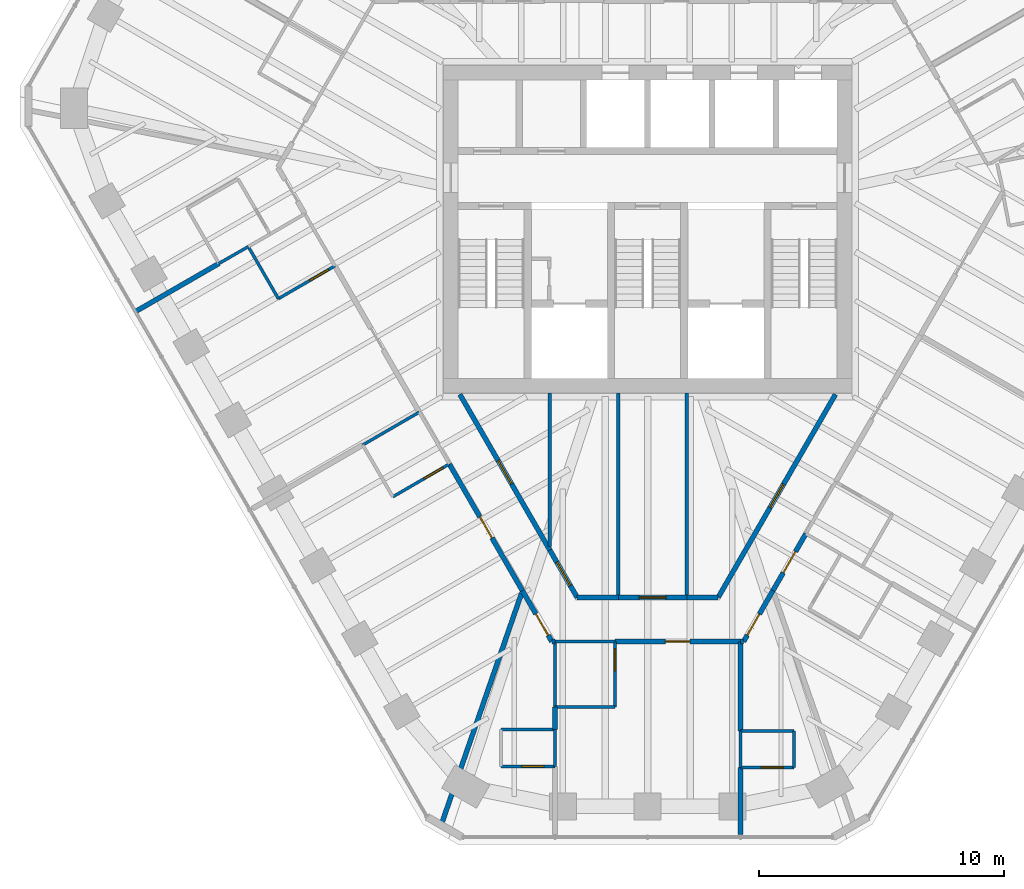
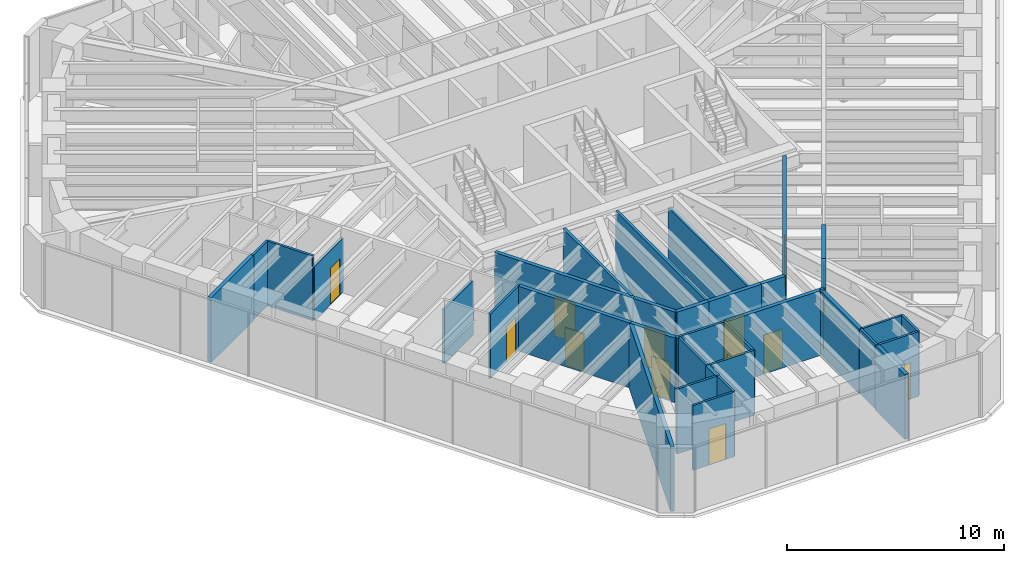
# One storey, part 9 of 14: 37 walls, 14 doors, 14 openings.
"""IFC4 building model written with IfcOpenShell, lengths in metres."""

from ifc_helpers import new_model, si_unit, direction, frame, frame_2d, origin, place, context, subcontext, project, spatial, rectangle, extrude, material, layer, layer_set, type_object, element, fill, save


model = new_model("IFC4")

# Units and contexts
model_context = context("Model", 3, precision=1e-05, world=origin(), true_north=direction((0.0, 1.0)))
body_context = subcontext(model_context, "Body", "Model", "MODEL_VIEW")
ifc_project = project(units=[si_unit("LENGTHUNIT", "METRE"), si_unit("AREAUNIT", "SQUARE_METRE"), si_unit("VOLUMEUNIT", "CUBIC_METRE"), si_unit("PLANEANGLEUNIT", "RADIAN"), si_unit("MASSUNIT", "GRAM", prefix="KILO")], contexts=[model_context])

# Site, building, storey
site_placement = place(None, origin())
site = spatial("IfcSite", under=ifc_project, at=site_placement, CompositionType="ELEMENT")
building_placement = place(site_placement, origin())
building = spatial("IfcBuilding", under=site, at=building_placement, Name="Sandreach Pilgrim Tower", CompositionType="ELEMENT")
storey_placement = place(building_placement, frame((0.0, 0.0, 260.800048828125)))
storey = spatial("IfcBuildingStorey", under=building, at=storey_placement, Name="L65", CompositionType="ELEMENT", Elevation=260.800048828125)

# Walls
ifc_material_1 = material(Name="Gypsum board on steel studs", Category="steel")
ifc_layer_1 = layer(ifc_material_1, 0.14990234375)
ifc_layer_set_1 = layer_set([ifc_layer_1], Name="Back of house wall 150")
wall_type_1 = type_object("IfcWallType", Name="Back of house wall 150", PredefinedType="PARTITIONING", material=ifc_layer_set_1)
wall_1_placement = place(storey_placement, frame((-4.0, -6.699951171875, 0.0), z_axis=(0.0, 0.0, 1.0), x_axis=(0.0, -1.0, 0.0)))
element("IfcWall", 1, at=wall_1_placement, inside=storey, type_object=wall_type_1, Name="Back of house wall L65-049", PredefinedType="PARTITIONING", context=body_context, shape_type="SweptSolid", body=[
    extrude(rectangle(XDim=6.26513671875, YDim=0.14990234375, at=frame_2d((3.132568359375, 0.0))), origin(), (0.0, 0.0, 1.0), 3.639892578125),
])
wall_2_placement = place(storey_placement, frame((-1.199951171875, -6.699951171875, 0.0), z_axis=(0.0, 0.0, 1.0), x_axis=(0.0, -1.0, 0.0)))
element("IfcWall", 2, at=wall_2_placement, inside=storey, type_object=wall_type_1, Name="Back of house wall L65-065", PredefinedType="PARTITIONING", context=body_context, shape_type="SweptSolid", body=[
    extrude(rectangle(XDim=8.360107421875, YDim=0.14990234375, at=frame_2d((4.18017578125, 0.0))), origin(), (0.0, 0.0, 1.0), 3.639892578125),
])
wall_3_placement = place(storey_placement, frame((1.60009765625, -6.699951171875, 0.0), z_axis=(0.0, 0.0, 1.0), x_axis=(0.0, -1.0, 0.0)))
element("IfcWall", 3, at=wall_3_placement, inside=storey, type_object=wall_type_1, Name="Back of house wall L65-067", PredefinedType="PARTITIONING", context=body_context, shape_type="SweptSolid", body=[
    extrude(rectangle(XDim=8.360107421875, YDim=0.14990234375, at=frame_2d((4.18017578125, 0.0))), origin(), (0.0, 0.0, 1.0), 2.860107421875),
])
ifc_material_2 = material(Name="Moisture-resistant gypsum board on steel studs", Category="steel")
ifc_layer_2 = layer(ifc_material_2, 0.1201171875)
ifc_layer_set_2 = layer_set([ifc_layer_2], Name="Bathroom partition 120")
wall_type_2 = type_object("IfcWallType", Name="Bathroom partition 120", PredefinedType="PARTITIONING", material=ifc_layer_set_2)
wall_4_placement = place(storey_placement, frame((-17.530517578125, -1.39892578125, 0.0), z_axis=(0.0, 0.0, 1.0), x_axis=(0.867308096735, 0.497771700017, 0.0)))
element("IfcWall", 4, at=wall_4_placement, inside=storey, type_object=wall_type_2, Name="Bathroom partition L65-005", PredefinedType="PARTITIONING", context=body_context, shape_type="SweptSolid", body=[
    extrude(rectangle(XDim=1.384033203125, YDim=0.1201171875, at=frame_2d((0.69189453125, 0.0))), origin(), (0.0, 0.0, 1.0), 3.639892578125),
])
wall_5_placement = place(storey_placement, frame((-16.330078125, -0.7099609375, 0.0), z_axis=(0.0, 0.0, 1.0), x_axis=(0.500046071023, -0.865998803033, 0.0)))
element("IfcWall", 5, at=wall_5_placement, inside=storey, type_object=wall_type_2, Name="Bathroom partition L65-009", PredefinedType="PARTITIONING", context=body_context, shape_type="SweptSolid", body=[
    extrude(rectangle(XDim=2.459716796875, YDim=0.1201171875, at=frame_2d((1.22998046875, 0.0))), origin(), (0.0, 0.0, 1.0), 3.639892578125),
])

# Wall, opening, door
wall_6_placement = place(storey_placement, frame((-15.10009765625, -2.840087890625, 0.0), z_axis=(0.0, 0.0, 1.0), x_axis=(0.86498992408, 0.501789229896, 0.0)))
wall_6 = element("IfcWall", 6, at=wall_6_placement, inside=storey, type_object=wall_type_2, Name="Bathroom partition L65-016", PredefinedType="PARTITIONING", context=body_context, shape_type="SweptSolid", body=[
    extrude(rectangle(XDim=2.670654296875, YDim=0.1201171875, at=frame_2d((1.33544921875, 0.0))), origin(), (0.0, 0.0, 1.0), 3.022705078125),
])
opening_1_placement = place(wall_6_placement, frame((1.470458984375, 0.0, 0.0)))
opening_1 = element("IfcOpeningElement", 7, at=opening_1_placement, cuts=wall_6, Name="Opening D09-14B", PredefinedType="OPENING", context=body_context, shape_type="SweptSolid", body=[
    extrude(rectangle(XDim=0.89990234375, YDim=2.030029296875, at=frame_2d((0.449951171875, 1.01513671875))), frame((0.0, 0.06005859375, 0.0), z_axis=(0.0, -1.0, 0.0), x_axis=(1.0, 0.0, 0.0)), (0.0, 0.0, 1.0), 0.1201171875),
])
ifc_material_3 = material(Name="Timber door, steel frame", Category="steel")
door_type_1 = type_object("IfcDoorType", Name="Bathroom door", OperationType="SINGLE_SWING_LEFT", PredefinedType="DOOR", material=ifc_material_3)
door_1_placement = place(opening_1_placement, origin())
door_1 = element("IfcDoor", 8, at=door_1_placement, inside=storey, type_object=door_type_1, Name="Door 6514B", OperationType="SINGLE_SWING_RIGHT", OverallHeight=2.030029296875, OverallWidth=0.89990234375, PredefinedType="DOOR", context=body_context, shape_type="SweptSolid", body=[
    extrude(rectangle(XDim=0.89990234375, YDim=2.030029296875, at=frame_2d((0.449951171875, 1.01513671875))), frame((0.0, 0.02490234375, 0.0), z_axis=(0.0, -1.0, 0.0), x_axis=(1.0, 0.0, 0.0)), (0.0, 0.0, 1.0), 0.050048828125),
])
fill(opening_1, door_1)

# Wall
wall_7_placement = place(storey_placement, frame((-11.64990234375, -8.820068359375, 0.0), z_axis=(0.0, 0.0, 1.0), x_axis=(0.864966903181, 0.501828911485, 0.0)))
element("IfcWall", 9, at=wall_7_placement, inside=storey, type_object=wall_type_2, Name="Bathroom partition L65-026", PredefinedType="PARTITIONING", context=body_context, shape_type="SweptSolid", body=[
    extrude(rectangle(XDim=2.67041015625, YDim=0.1201171875, at=frame_2d((1.335205078125, 0.0))), origin(), (0.0, 0.0, 1.0), 3.0380859375),
])

# Wall, opening, door
wall_8_placement = place(storey_placement, frame((-10.419921875, -10.93994140625, 0.0), z_axis=(0.0, 0.0, 1.0), x_axis=(0.865006586495, 0.501760505939, 0.0)))
wall_8 = element("IfcWall", 10, at=wall_8_placement, inside=storey, type_object=wall_type_2, Name="Bathroom partition L65-030", PredefinedType="PARTITIONING", context=body_context, shape_type="SweptSolid", body=[
    extrude(rectangle(XDim=2.670166015625, YDim=0.1201171875, at=frame_2d((1.3349609375, 0.0))), origin(), (0.0, 0.0, 1.0), 3.639892578125),
])
opening_2_placement = place(wall_8_placement, frame((1.470458984375, 0.0, 0.0)))
opening_2 = element("IfcOpeningElement", 11, at=opening_2_placement, cuts=wall_8, Name="Opening D09-13B", PredefinedType="OPENING", context=body_context, shape_type="SweptSolid", body=[
    extrude(rectangle(XDim=0.89990234375, YDim=2.030029296875, at=frame_2d((0.449951171875, 1.01513671875))), frame((0.0, 0.06005859375, 0.0), z_axis=(0.0, -1.0, 0.0), x_axis=(1.0, 0.0, 0.0)), (0.0, 0.0, 1.0), 0.1201171875),
])
door_2_placement = place(opening_2_placement, origin())
door_2 = element("IfcDoor", 12, at=door_2_placement, inside=storey, type_object=door_type_1, Name="Door 6513B", OperationType="SINGLE_SWING_RIGHT", OverallHeight=2.030029296875, OverallWidth=0.89990234375, PredefinedType="DOOR", context=body_context, shape_type="SweptSolid", body=[
    extrude(rectangle(XDim=0.89990234375, YDim=2.030029296875, at=frame_2d((0.449951171875, 1.01513671875))), frame((0.0, 0.02490234375, 0.0), z_axis=(0.0, -1.0, 0.0), x_axis=(1.0, 0.0, 0.0)), (0.0, 0.0, 1.0), 0.050048828125),
])
fill(opening_2, door_2)

wall_9_placement = place(storey_placement, frame((-5.989990234375, -21.9599609375, 0.0), z_axis=(0.0, 0.0, 1.0), x_axis=(1.0, 0.0, 0.0)))
wall_9 = element("IfcWall", 13, at=wall_9_placement, inside=storey, type_object=wall_type_2, Name="Bathroom partition L65-042", PredefinedType="PARTITIONING", context=body_context, shape_type="SweptSolid", body=[
    extrude(rectangle(XDim=2.199951171875, YDim=0.1201171875, at=frame_2d((1.10009765625, 0.0))), origin(), (0.0, 0.0, 1.0), 3.639892578125),
])
opening_3_placement = place(wall_9_placement, frame((0.85009765625, 0.0, 0.0)))
opening_3 = element("IfcOpeningElement", 14, at=opening_3_placement, cuts=wall_9, Name="Opening D09-12B", PredefinedType="OPENING", context=body_context, shape_type="SweptSolid", body=[
    extrude(rectangle(XDim=0.89990234375, YDim=2.030029296875, at=frame_2d((0.449951171875, 1.01513671875))), frame((0.0, 0.06005859375, 0.0), z_axis=(0.0, -1.0, 0.0), x_axis=(1.0, 0.0, 0.0)), (0.0, 0.0, 1.0), 0.1201171875),
])
door_3_placement = place(opening_3_placement, origin())
door_3 = element("IfcDoor", 15, at=door_3_placement, inside=storey, type_object=door_type_1, Name="Door 6512B", OperationType="SINGLE_SWING_RIGHT", OverallHeight=2.030029296875, OverallWidth=0.89990234375, PredefinedType="DOOR", context=body_context, shape_type="SweptSolid", body=[
    extrude(rectangle(XDim=0.89990234375, YDim=2.030029296875, at=frame_2d((0.449951171875, 1.01513671875))), frame((0.0, 0.02490234375, 0.0), z_axis=(0.0, -1.0, 0.0), x_axis=(1.0, 0.0, 0.0)), (0.0, 0.0, 1.0), 0.050048828125),
])
fill(opening_3, door_3)

# Walls
wall_10_placement = place(storey_placement, frame((-3.7900390625, -21.9599609375, 0.0), z_axis=(0.0, 0.0, 1.0), x_axis=(0.0, 1.0, 0.0)))
element("IfcWall", 16, at=wall_10_placement, inside=storey, type_object=wall_type_2, Name="Bathroom partition L65-052", PredefinedType="PARTITIONING", context=body_context, shape_type="SweptSolid", body=[
    extrude(rectangle(XDim=1.5, YDim=0.1201171875, at=frame_2d((0.75, 0.0))), origin(), (0.0, 0.0, 1.0), 3.639892578125),
])
wall_11_placement = place(storey_placement, frame((-3.7900390625, -20.4599609375, 0.0), z_axis=(0.0, 0.0, 1.0), x_axis=(-1.0, 0.0, 0.0)))
element("IfcWall", 17, at=wall_11_placement, inside=storey, type_object=wall_type_2, Name="Bathroom partition L65-053", PredefinedType="PARTITIONING", context=body_context, shape_type="SweptSolid", body=[
    extrude(rectangle(XDim=2.199951171875, YDim=0.1201171875, at=frame_2d((1.10009765625, 0.0))), origin(), (0.0, 0.0, 1.0), 3.639892578125),
])
wall_12_placement = place(storey_placement, frame((-3.7900390625, -19.530029296875, 0.0), z_axis=(0.0, 0.0, 1.0), x_axis=(0.0, 1.0, 0.0)))
element("IfcWall", 18, at=wall_12_placement, inside=storey, type_object=wall_type_2, Name="Bathroom partition L65-055", PredefinedType="PARTITIONING", context=body_context, shape_type="SweptSolid", body=[
    extrude(rectangle(XDim=2.669921875, YDim=0.1201171875, at=frame_2d((1.3349609375, 0.0))), origin(), (0.0, 0.0, 1.0), 3.639892578125),
])
for number, where, z_axis, x_axis, name in (
    (19, (-3.7900390625, -19.530029296875, 0.0), (0.0, 0.0, 1.0), (1.0, 0.0, 0.0), "Bathroom partition L65-056"),
    (20, (-3.7900390625, -16.860107421875, 0.0), (0.0, 0.0, 1.0), (1.0, 0.0, 0.0), "Bathroom partition L65-057"),
):
    element("IfcWall", number, at=place(storey_placement, frame(where, z_axis=z_axis, x_axis=x_axis)), inside=storey, type_object=wall_type_2, Name=name, PredefinedType="PARTITIONING", context=body_context, shape_type="SweptSolid", body=[
        extrude(rectangle(XDim=2.449951171875, YDim=0.1201171875, at=frame_2d((1.22509765625, 0.0))), origin(), (0.0, 0.0, 1.0), 3.639892578125),
    ])

# Wall, opening, door
wall_13_placement = place(storey_placement, frame((-1.340087890625, -19.530029296875, 0.0), z_axis=(0.0, 0.0, 1.0), x_axis=(0.0, 1.0, 0.0)))
wall_13 = element("IfcWall", 21, at=wall_13_placement, inside=storey, type_object=wall_type_2, Name="Bathroom partition L65-062", PredefinedType="PARTITIONING", context=body_context, shape_type="SweptSolid", body=[
    extrude(rectangle(XDim=2.669921875, YDim=0.1201171875, at=frame_2d((1.3349609375, 0.0))), origin(), (0.0, 0.0, 1.0), 3.639892578125),
])
opening_4_placement = place(wall_13_placement, frame((1.469970703125, 0.0, 0.0)))
opening_4 = element("IfcOpeningElement", 22, at=opening_4_placement, cuts=wall_13, Name="Opening D09-11B", PredefinedType="OPENING", context=body_context, shape_type="SweptSolid", body=[
    extrude(rectangle(XDim=0.89990234375, YDim=2.030029296875, at=frame_2d((0.449951171875, 1.01513671875))), frame((0.0, 0.06005859375, 0.0), z_axis=(0.0, -1.0, 0.0), x_axis=(1.0, 0.0, 0.0)), (0.0, 0.0, 1.0), 0.1201171875),
])
door_4_placement = place(opening_4_placement, origin())
door_4 = element("IfcDoor", 23, at=door_4_placement, inside=storey, type_object=door_type_1, Name="Door 6511B", OperationType="SINGLE_SWING_RIGHT", OverallHeight=2.030029296875, OverallWidth=0.89990234375, PredefinedType="DOOR", context=body_context, shape_type="SweptSolid", body=[
    extrude(rectangle(XDim=0.89990234375, YDim=2.030029296875, at=frame_2d((0.449951171875, 1.01513671875))), frame((0.0, 0.02490234375, 0.0), z_axis=(0.0, -1.0, 0.0), x_axis=(1.0, 0.0, 0.0)), (0.0, 0.0, 1.0), 0.050048828125),
])
fill(opening_4, door_4)

# Wall
wall_14_placement = place(storey_placement, frame((3.7900390625, -22.010009765625, 0.0), z_axis=(0.0, 0.0, 1.0), x_axis=(0.0, 1.0, 0.0)))
element("IfcWall", 24, at=wall_14_placement, inside=storey, type_object=wall_type_2, Name="Bathroom partition L65-070", PredefinedType="PARTITIONING", context=body_context, shape_type="SweptSolid", body=[
    extrude(rectangle(XDim=1.5, YDim=0.1201171875, at=frame_2d((0.75, 0.0))), origin(), (0.0, 0.0, 1.0), 3.639892578125),
])

# Wall, opening, door
wall_15_placement = place(storey_placement, frame((3.7900390625, -22.010009765625, 0.0), z_axis=(0.0, 0.0, 1.0), x_axis=(1.0, 0.0, 0.0)))
wall_15 = element("IfcWall", 25, at=wall_15_placement, inside=storey, type_object=wall_type_2, Name="Bathroom partition L65-071", PredefinedType="PARTITIONING", context=body_context, shape_type="SweptSolid", body=[
    extrude(rectangle(XDim=2.199951171875, YDim=0.1201171875, at=frame_2d((1.10009765625, 0.0))), origin(), (0.0, 0.0, 1.0), 3.639892578125),
])
opening_5_placement = place(wall_15_placement, frame((0.85009765625, 0.0, 0.0)))
opening_5 = element("IfcOpeningElement", 26, at=opening_5_placement, cuts=wall_15, Name="Opening D09-10B", PredefinedType="OPENING", context=body_context, shape_type="SweptSolid", body=[
    extrude(rectangle(XDim=0.89990234375, YDim=2.030029296875, at=frame_2d((0.449951171875, 1.01513671875))), frame((0.0, 0.06005859375, 0.0), z_axis=(0.0, -1.0, 0.0), x_axis=(1.0, 0.0, 0.0)), (0.0, 0.0, 1.0), 0.1201171875),
])
door_5_placement = place(opening_5_placement, origin())
door_5 = element("IfcDoor", 27, at=door_5_placement, inside=storey, type_object=door_type_1, Name="Door 6510B", OperationType="SINGLE_SWING_RIGHT", OverallHeight=2.030029296875, OverallWidth=0.89990234375, PredefinedType="DOOR", context=body_context, shape_type="SweptSolid", body=[
    extrude(rectangle(XDim=0.89990234375, YDim=2.030029296875, at=frame_2d((0.449951171875, 1.01513671875))), frame((0.0, 0.02490234375, 0.0), z_axis=(0.0, -1.0, 0.0), x_axis=(1.0, 0.0, 0.0)), (0.0, 0.0, 1.0), 0.050048828125),
])
fill(opening_5, door_5)

# Walls
wall_16_placement = place(storey_placement, frame((5.989990234375, -22.010009765625, 0.0), z_axis=(0.0, 0.0, 1.0), x_axis=(0.0, 1.0, 0.0)))
element("IfcWall", 28, at=wall_16_placement, inside=storey, type_object=wall_type_2, Name="Bathroom partition L65-078", PredefinedType="PARTITIONING", context=body_context, shape_type="SweptSolid", body=[
    extrude(rectangle(XDim=1.5, YDim=0.1201171875, at=frame_2d((0.75, 0.0))), origin(), (0.0, 0.0, 1.0), 3.639892578125),
])
wall_17_placement = place(storey_placement, frame((5.989990234375, -20.510009765625, 0.0), z_axis=(0.0, 0.0, 1.0), x_axis=(-1.0, 0.0, 0.0)))
element("IfcWall", 29, at=wall_17_placement, inside=storey, type_object=wall_type_2, Name="Bathroom partition L65-079", PredefinedType="PARTITIONING", context=body_context, shape_type="SweptSolid", body=[
    extrude(rectangle(XDim=2.199951171875, YDim=0.1201171875, at=frame_2d((1.10009765625, 0.0))), origin(), (0.0, 0.0, 1.0), 3.639892578125),
])

# Wall, opening, door
ifc_material_4 = material(Name="Gypsum board on steel studs, two layers each side", Category="steel")
ifc_layer_3 = layer(ifc_material_4, 0.199951171875)
ifc_layer_set_3 = layer_set([ifc_layer_3], Name="Corridor wall 200")
wall_type_3 = type_object("IfcWallType", Name="Corridor wall 200", PredefinedType="PARTITIONING", material=ifc_layer_set_3)
wall_18_placement = place(storey_placement, frame((-8.110107421875, -9.60009765625, 0.0), z_axis=(0.0, 0.0, 1.0), x_axis=(0.49991915452, -0.866072074913, 0.0)))
wall_18 = element("IfcWall", 30, at=wall_18_placement, inside=storey, type_object=wall_type_3, Name="Corridor wall L65-037", PredefinedType="PARTITIONING", context=body_context, shape_type="SweptSolid", body=[
    extrude(rectangle(XDim=5.98095703125, YDim=0.199951171875, at=frame_2d((2.990478515625, 0.0))), origin(), (0.0, 0.0, 1.0), 3.639892578125),
])
opening_6_placement = place(wall_18_placement, frame((2.490478515625, 0.0, 0.0)))
opening_6 = element("IfcOpeningElement", 31, at=opening_6_placement, cuts=wall_18, Name="Opening D10-13", PredefinedType="OPENING", context=body_context, shape_type="SweptSolid", body=[
    extrude(rectangle(XDim=1.0, YDim=2.1298828125, at=frame_2d((0.5, 1.06494140625))), frame((0.0, 0.10009765625, 0.0), z_axis=(0.0, -1.0, 0.0), x_axis=(1.0, 0.0, 0.0)), (0.0, 0.0, 1.0), 0.199951171875),
])
ifc_material_5 = material(Name="Steel door and frame", Category="steel")
door_type_2 = type_object("IfcDoorType", Name="Guest room entry door", OperationType="SINGLE_SWING_LEFT", PredefinedType="DOOR", material=ifc_material_5)
door_6_placement = place(opening_6_placement, origin())
door_6 = element("IfcDoor", 32, at=door_6_placement, inside=storey, type_object=door_type_2, Name="Door 6513", OperationType="SINGLE_SWING_LEFT", OverallHeight=2.1298828125, OverallWidth=1.0, PredefinedType="DOOR", context=body_context, shape_type="SweptSolid", body=[
    extrude(rectangle(XDim=1.0, YDim=2.1298828125, at=frame_2d((0.5, 1.06494140625))), frame((0.0, 0.02490234375, 0.0), z_axis=(0.0, -1.0, 0.0), x_axis=(1.0, 0.0, 0.0)), (0.0, 0.0, 1.0), 0.050048828125),
])
fill(opening_6, door_6)

wall_19_placement = place(storey_placement, frame((-5.1201171875, -14.780029296875, 0.0), z_axis=(0.0, 0.0, 1.0), x_axis=(0.499813401482, -0.866133109688, 0.0)))
wall_19 = element("IfcWall", 33, at=wall_19_placement, inside=storey, type_object=wall_type_3, Name="Corridor wall L65-044", PredefinedType="PARTITIONING", context=body_context, shape_type="SweptSolid", body=[
    extrude(rectangle(XDim=2.4013671875, YDim=0.199951171875, at=frame_2d((1.20068359375, 0.0))), origin(), (0.0, 0.0, 1.0), 3.639892578125),
])
opening_7_placement = place(wall_19_placement, frame((1.10009765625, 0.0, 0.0)))
opening_7 = element("IfcOpeningElement", 34, at=opening_7_placement, cuts=wall_19, Name="Opening D10-12", PredefinedType="OPENING", context=body_context, shape_type="SweptSolid", body=[
    extrude(rectangle(XDim=1.0, YDim=2.1298828125, at=frame_2d((0.5, 1.06494140625))), frame((0.0, 0.10009765625, 0.0), z_axis=(0.0, -1.0, 0.0), x_axis=(1.0, 0.0, 0.0)), (0.0, 0.0, 1.0), 0.199951171875),
])
door_7_placement = place(opening_7_placement, origin())
door_7 = element("IfcDoor", 35, at=door_7_placement, inside=storey, type_object=door_type_2, Name="Door 6512", OperationType="SINGLE_SWING_RIGHT", OverallHeight=2.1298828125, OverallWidth=1.0, PredefinedType="DOOR", context=body_context, shape_type="SweptSolid", body=[
    extrude(rectangle(XDim=1.0, YDim=2.1298828125, at=frame_2d((0.5, 1.06494140625))), frame((0.0, 0.02490234375, 0.0), z_axis=(0.0, -1.0, 0.0), x_axis=(1.0, 0.0, 0.0)), (0.0, 0.0, 1.0), 0.050048828125),
])
fill(opening_7, door_7)

wall_20_placement = place(storey_placement, frame((-4.0, -13.1201171875, 0.0), z_axis=(0.0, 0.0, 1.0), x_axis=(-0.500218436225, 0.865899252835, 0.0)))
wall_20 = element("IfcWall", 36, at=wall_20_placement, inside=storey, type_object=wall_type_3, Name="Corridor wall L65-048", PredefinedType="PARTITIONING", context=body_context, shape_type="SweptSolid", body=[
    extrude(rectangle(XDim=7.356689453125, YDim=0.199951171875, at=frame_2d((3.67822265625, 0.0))), origin(), (0.0, 0.0, 1.0), 3.639892578125),
])
opening_8_placement = place(wall_20_placement, frame((3.12841796875, 0.0, 0.0)))
opening_8 = element("IfcOpeningElement", 37, at=opening_8_placement, cuts=wall_20, Name="Opening D11H-S1", PredefinedType="OPENING", context=body_context, shape_type="SweptSolid", body=[
    extrude(rectangle(XDim=1.10009765625, YDim=2.199951171875, at=frame_2d((0.550048828125, 1.10009765625))), frame((0.0, 0.10009765625, 0.0), z_axis=(0.0, -1.0, 0.0), x_axis=(1.0, 0.0, 0.0)), (0.0, 0.0, 1.0), 0.199951171875),
])
ifc_material_6 = material(Name="Steel door and frame", Category="steel")
door_type_3 = type_object("IfcDoorType", Name="Back of house door", OperationType="SINGLE_SWING_LEFT", PredefinedType="DOOR", material=ifc_material_6)
door_8_placement = place(opening_8_placement, origin())
door_8 = element("IfcDoor", 38, at=door_8_placement, inside=storey, type_object=door_type_3, Name="Door 65S1", OperationType="SINGLE_SWING_LEFT", OverallHeight=2.199951171875, OverallWidth=1.10009765625, PredefinedType="DOOR", context=body_context, shape_type="SweptSolid", body=[
    extrude(rectangle(XDim=1.10009765625, YDim=2.199951171875, at=frame_2d((0.550048828125, 1.10009765625))), frame((0.0, 0.02490234375, 0.0), z_axis=(0.0, -1.0, 0.0), x_axis=(1.0, 0.0, 0.0)), (0.0, 0.0, 1.0), 0.050048828125),
])
fill(opening_8, door_8)

# Wall
wall_21_placement = place(storey_placement, frame((-3.919921875, -16.860107421875, 0.0), z_axis=(0.0, 0.0, 1.0), x_axis=(1.0, 0.0, 0.0)))
element("IfcWall", 39, at=wall_21_placement, inside=storey, type_object=wall_type_3, Name="Corridor wall L65-050", PredefinedType="PARTITIONING", context=body_context, shape_type="SweptSolid", body=[
    extrude(rectangle(XDim=0.1298828125, YDim=0.199951171875, at=frame_2d((0.06494140625, 0.0))), origin(), (0.0, 0.0, 1.0), 3.639892578125),
])

# Wall, opening, door
wall_22_placement = place(storey_placement, frame((-2.8798828125, -15.06005859375, 0.0), z_axis=(0.0, 0.0, 1.0), x_axis=(-0.499983441833, 0.866034963436, 0.0)))
wall_22 = element("IfcWall", 40, at=wall_22_placement, inside=storey, type_object=wall_type_3, Name="Corridor wall L65-058", PredefinedType="PARTITIONING", context=body_context, shape_type="SweptSolid", body=[
    extrude(rectangle(XDim=2.240234375, YDim=0.199951171875, at=frame_2d((1.1201171875, 0.0))), origin(), (0.0, 0.0, 1.0), 3.639892578125),
])
opening_9_placement = place(wall_22_placement, frame((0.570068359375, 0.0, 0.0)))
opening_9 = element("IfcOpeningElement", 41, at=opening_9_placement, cuts=wall_22, Name="Opening D11H-S2", PredefinedType="OPENING", context=body_context, shape_type="SweptSolid", body=[
    extrude(rectangle(XDim=1.10009765625, YDim=2.199951171875, at=frame_2d((0.550048828125, 1.10009765625))), frame((0.0, 0.10009765625, 0.0), z_axis=(0.0, -1.0, 0.0), x_axis=(1.0, 0.0, 0.0)), (0.0, 0.0, 1.0), 0.199951171875),
])
door_9_placement = place(opening_9_placement, origin())
door_9 = element("IfcDoor", 42, at=door_9_placement, inside=storey, type_object=door_type_3, Name="Door 65S2", OperationType="SINGLE_SWING_LEFT", OverallHeight=2.199951171875, OverallWidth=1.10009765625, PredefinedType="DOOR", context=body_context, shape_type="SweptSolid", body=[
    extrude(rectangle(XDim=1.10009765625, YDim=2.199951171875, at=frame_2d((0.550048828125, 1.10009765625))), frame((0.0, 0.02490234375, 0.0), z_axis=(0.0, -1.0, 0.0), x_axis=(1.0, 0.0, 0.0)), (0.0, 0.0, 1.0), 0.050048828125),
])
fill(opening_9, door_9)

wall_23_placement = place(storey_placement, frame((-1.340087890625, -16.860107421875, 0.0), z_axis=(0.0, 0.0, 1.0), x_axis=(1.0, 0.0, 0.0)))
wall_23 = element("IfcWall", 43, at=wall_23_placement, inside=storey, type_object=wall_type_3, Name="Corridor wall L65-063", PredefinedType="PARTITIONING", context=body_context, shape_type="SweptSolid", body=[
    extrude(rectangle(XDim=5.130126953125, YDim=0.199951171875, at=frame_2d((2.56494140625, 0.0))), origin(), (0.0, 0.0, 1.0), 3.639892578125),
])
opening_10_placement = place(wall_23_placement, frame((2.06494140625, 0.0, 0.0)))
opening_10 = element("IfcOpeningElement", 44, at=opening_10_placement, cuts=wall_23, Name="Opening D10-11", PredefinedType="OPENING", context=body_context, shape_type="SweptSolid", body=[
    extrude(rectangle(XDim=1.0, YDim=2.1298828125, at=frame_2d((0.5, 1.06494140625))), frame((0.0, 0.10009765625, 0.0), z_axis=(0.0, -1.0, 0.0), x_axis=(1.0, 0.0, 0.0)), (0.0, 0.0, 1.0), 0.199951171875),
])
door_10_placement = place(opening_10_placement, origin())
door_10 = element("IfcDoor", 45, at=door_10_placement, inside=storey, type_object=door_type_2, Name="Door 6511", OperationType="SINGLE_SWING_LEFT", OverallHeight=2.1298828125, OverallWidth=1.0, PredefinedType="DOOR", context=body_context, shape_type="SweptSolid", body=[
    extrude(rectangle(XDim=1.0, YDim=2.1298828125, at=frame_2d((0.5, 1.06494140625))), frame((0.0, 0.02490234375, 0.0), z_axis=(0.0, -1.0, 0.0), x_axis=(1.0, 0.0, 0.0)), (0.0, 0.0, 1.0), 0.050048828125),
])
fill(opening_10, door_10)

# Wall
wall_24_placement = place(storey_placement, frame((-1.199951171875, -15.06005859375, 0.0), z_axis=(0.0, 0.0, 1.0), x_axis=(-1.0, 0.0, 0.0)))
element("IfcWall", 46, at=wall_24_placement, inside=storey, type_object=wall_type_3, Name="Corridor wall L65-064", PredefinedType="PARTITIONING", context=body_context, shape_type="SweptSolid", body=[
    extrude(rectangle(XDim=1.679931640625, YDim=0.199951171875, at=frame_2d((0.83984375, 0.0))), origin(), (0.0, 0.0, 1.0), 3.639892578125),
])

# Wall, opening, door
wall_25_placement = place(storey_placement, frame((1.60009765625, -15.06005859375, 0.0), z_axis=(0.0, 0.0, 1.0), x_axis=(-1.0, 0.0, 0.0)))
wall_25 = element("IfcWall", 47, at=wall_25_placement, inside=storey, type_object=wall_type_3, Name="Corridor wall L65-066", PredefinedType="PARTITIONING", context=body_context, shape_type="SweptSolid", body=[
    extrude(rectangle(XDim=2.800048828125, YDim=0.199951171875, at=frame_2d((1.39990234375, 0.0))), origin(), (0.0, 0.0, 1.0), 3.639892578125),
])
opening_11_placement = place(wall_25_placement, frame((0.85009765625, 0.0, 0.0)))
opening_11 = element("IfcOpeningElement", 48, at=opening_11_placement, cuts=wall_25, Name="Opening D11H-S3", PredefinedType="OPENING", context=body_context, shape_type="SweptSolid", body=[
    extrude(rectangle(XDim=1.10009765625, YDim=2.199951171875, at=frame_2d((0.550048828125, 1.10009765625))), frame((0.0, 0.10009765625, 0.0), z_axis=(0.0, -1.0, 0.0), x_axis=(1.0, 0.0, 0.0)), (0.0, 0.0, 1.0), 0.199951171875),
])
door_11_placement = place(opening_11_placement, origin())
door_11 = element("IfcDoor", 49, at=door_11_placement, inside=storey, type_object=door_type_3, Name="Door 65S3", OperationType="SINGLE_SWING_LEFT", OverallHeight=2.199951171875, OverallWidth=1.10009765625, PredefinedType="DOOR", context=body_context, shape_type="SweptSolid", body=[
    extrude(rectangle(XDim=1.10009765625, YDim=2.199951171875, at=frame_2d((0.550048828125, 1.10009765625))), frame((0.0, 0.02490234375, 0.0), z_axis=(0.0, -1.0, 0.0), x_axis=(1.0, 0.0, 0.0)), (0.0, 0.0, 1.0), 0.050048828125),
])
fill(opening_11, door_11)

# Walls
wall_26_placement = place(storey_placement, frame((2.8798828125, -15.06005859375, 0.0), z_axis=(0.0, 0.0, 1.0), x_axis=(-1.0, 0.0, 0.0)))
element("IfcWall", 50, at=wall_26_placement, inside=storey, type_object=wall_type_3, Name="Corridor wall L65-068", PredefinedType="PARTITIONING", context=body_context, shape_type="SweptSolid", body=[
    extrude(rectangle(XDim=1.27978515625, YDim=0.199951171875, at=frame_2d((0.639892578125, 0.0))), origin(), (0.0, 0.0, 1.0), 3.639892578125),
])
wall_27_placement = place(storey_placement, frame((3.7900390625, -16.860107421875, 0.0), z_axis=(0.0, 0.0, 1.0), x_axis=(1.0, 0.0, 0.0)))
element("IfcWall", 51, at=wall_27_placement, inside=storey, type_object=wall_type_3, Name="Corridor wall L65-073", PredefinedType="PARTITIONING", context=body_context, shape_type="SweptSolid", body=[
    extrude(rectangle(XDim=0.1298828125, YDim=0.199951171875, at=frame_2d((0.06494140625, 0.0))), origin(), (0.0, 0.0, 1.0), 3.639892578125),
])

# Wall, opening, door
wall_28_placement = place(storey_placement, frame((3.919921875, -16.860107421875, 0.0), z_axis=(0.0, 0.0, 1.0), x_axis=(0.499693115345, 0.866202511239, 0.0)))
wall_28 = element("IfcWall", 52, at=wall_28_placement, inside=storey, type_object=wall_type_3, Name="Corridor wall L65-074", PredefinedType="PARTITIONING", context=body_context, shape_type="SweptSolid", body=[
    extrude(rectangle(XDim=2.4013671875, YDim=0.199951171875, at=frame_2d((1.20068359375, 0.0))), origin(), (0.0, 0.0, 1.0), 3.639892578125),
])
opening_12_placement = place(wall_28_placement, frame((0.300048828125, 0.0, 0.0)))
opening_12 = element("IfcOpeningElement", 53, at=opening_12_placement, cuts=wall_28, Name="Opening D10-10", PredefinedType="OPENING", context=body_context, shape_type="SweptSolid", body=[
    extrude(rectangle(XDim=1.0, YDim=2.1298828125, at=frame_2d((0.5, 1.06494140625))), frame((0.0, 0.10009765625, 0.0), z_axis=(0.0, -1.0, 0.0), x_axis=(1.0, 0.0, 0.0)), (0.0, 0.0, 1.0), 0.199951171875),
])
door_12_placement = place(opening_12_placement, origin())
door_12 = element("IfcDoor", 54, at=door_12_placement, inside=storey, type_object=door_type_2, Name="Door 6510", OperationType="SINGLE_SWING_LEFT", OverallHeight=2.1298828125, OverallWidth=1.0, PredefinedType="DOOR", context=body_context, shape_type="SweptSolid", body=[
    extrude(rectangle(XDim=1.0, YDim=2.1298828125, at=frame_2d((0.5, 1.06494140625))), frame((0.0, 0.02490234375, 0.0), z_axis=(0.0, -1.0, 0.0), x_axis=(1.0, 0.0, 0.0)), (0.0, 0.0, 1.0), 0.050048828125),
])
fill(opening_12, door_12)

wall_29_placement = place(storey_placement, frame((5.119873046875, -14.780029296875, 0.0), z_axis=(0.0, 0.0, 1.0), x_axis=(0.501343576294, 0.865248298761, 0.0)))
wall_29 = element("IfcWall", 55, at=wall_29_placement, inside=storey, type_object=wall_type_3, Name="Corridor wall L65-077", PredefinedType="PARTITIONING", context=body_context, shape_type="SweptSolid", body=[
    extrude(rectangle(XDim=2.69287109375, YDim=0.199951171875, at=frame_2d((1.346435546875, 0.0))), origin(), (0.0, 0.0, 1.0), 3.639892578125),
])
opening_13_placement = place(wall_29_placement, frame((0.846435546875, 0.0, 0.0)))
opening_13 = element("IfcOpeningElement", 56, at=opening_13_placement, cuts=wall_29, Name="Opening D10-09", PredefinedType="OPENING", context=body_context, shape_type="SweptSolid", body=[
    extrude(rectangle(XDim=1.0, YDim=2.1298828125, at=frame_2d((0.5, 1.06494140625))), frame((0.0, 0.10009765625, 0.0), z_axis=(0.0, -1.0, 0.0), x_axis=(1.0, 0.0, 0.0)), (0.0, 0.0, 1.0), 0.199951171875),
])
door_13_placement = place(opening_13_placement, origin())
door_13 = element("IfcDoor", 57, at=door_13_placement, inside=storey, type_object=door_type_2, Name="Door 6509", OperationType="SINGLE_SWING_LEFT", OverallHeight=2.1298828125, OverallWidth=1.0, PredefinedType="DOOR", context=body_context, shape_type="SweptSolid", body=[
    extrude(rectangle(XDim=1.0, YDim=2.1298828125, at=frame_2d((0.5, 1.06494140625))), frame((0.0, 0.02490234375, 0.0), z_axis=(0.0, -1.0, 0.0), x_axis=(1.0, 0.0, 0.0)), (0.0, 0.0, 1.0), 0.050048828125),
])
fill(opening_13, door_13)

wall_30_placement = place(storey_placement, frame((7.679931640625, -6.75, 0.0), z_axis=(0.0, 0.0, 1.0), x_axis=(-0.500174600737, -0.865924574532, 0.0)))
wall_30 = element("IfcWall", 58, at=wall_30_placement, inside=storey, type_object=wall_type_3, Name="Corridor wall L65-091", PredefinedType="PARTITIONING", context=body_context, shape_type="SweptSolid", body=[
    extrude(rectangle(XDim=9.5966796875, YDim=0.199951171875, at=frame_2d((4.79833984375, 0.0))), origin(), (0.0, 0.0, 1.0), 3.639892578125),
])
opening_14_placement = place(wall_30_placement, frame((4.248291015625, 0.0, 0.0)))
opening_14 = element("IfcOpeningElement", 59, at=opening_14_placement, cuts=wall_30, Name="Opening D11H-S4", PredefinedType="OPENING", context=body_context, shape_type="SweptSolid", body=[
    extrude(rectangle(XDim=1.10009765625, YDim=2.199951171875, at=frame_2d((0.550048828125, 1.10009765625))), frame((0.0, 0.10009765625, 0.0), z_axis=(0.0, -1.0, 0.0), x_axis=(1.0, 0.0, 0.0)), (0.0, 0.0, 1.0), 0.199951171875),
])
door_14_placement = place(opening_14_placement, origin())
door_14 = element("IfcDoor", 60, at=door_14_placement, inside=storey, type_object=door_type_3, Name="Door 65S4", OperationType="SINGLE_SWING_LEFT", OverallHeight=2.199951171875, OverallWidth=1.10009765625, PredefinedType="DOOR", context=body_context, shape_type="SweptSolid", body=[
    extrude(rectangle(XDim=1.10009765625, YDim=2.199951171875, at=frame_2d((0.550048828125, 1.10009765625))), frame((0.0, 0.02490234375, 0.0), z_axis=(0.0, -1.0, 0.0), x_axis=(1.0, 0.0, 0.0)), (0.0, 0.0, 1.0), 0.050048828125),
])
fill(opening_14, door_14)

# Walls
ifc_material_7 = material(Name="Double steel stud acoustic wall, gypsum board", Category="steel")
ifc_layer_4 = layer(ifc_material_7, 0.199951171875)
ifc_layer_set_4 = layer_set([ifc_layer_4], Name="Party wall 200")
wall_type_4 = type_object("IfcWallType", Name="Party wall 200", PredefinedType="PARTITIONING", material=ifc_layer_set_4)
wall_31_placement = place(storey_placement, frame((-20.924072265625, -3.35498046875, 0.0), z_axis=(0.0, 0.0, 1.0), x_axis=(0.866380602512, 0.49938427247, 0.0)))
element("IfcWall", 61, at=wall_31_placement, inside=storey, type_object=wall_type_4, Name="Party wall L65-003", PredefinedType="PARTITIONING", context=body_context, shape_type="SweptSolid", body=[
    extrude(rectangle(XDim=3.9169921875, YDim=0.199951171875, at=frame_2d((1.95849609375, 0.0))), origin(), (0.0, 0.0, 1.0), 3.639892578125),
])
wall_32_placement = place(storey_placement, frame((-8.4501953125, -24.381591796875, 0.0), z_axis=(0.0, 0.0, 1.0), x_axis=(0.327695764917, 0.944783300898, 0.0)))
element("IfcWall", 62, at=wall_32_placement, inside=storey, type_object=wall_type_4, Name="Party wall L65-036", PredefinedType="PARTITIONING", context=body_context, shape_type="SweptSolid", body=[
    extrude(rectangle(XDim=10.057861328125, YDim=0.199951171875, at=frame_2d((5.02880859375, 0.0))), origin(), (0.0, 0.0, 1.0), 3.639892578125),
])
wall_33_placement = place(storey_placement, frame((-3.7900390625, -20.4599609375, 0.0), z_axis=(0.0, 0.0, 1.0), x_axis=(0.0, 1.0, 0.0)))
element("IfcWall", 63, at=wall_33_placement, inside=storey, type_object=wall_type_4, Name="Party wall L65-054", PredefinedType="PARTITIONING", context=body_context, shape_type="SweptSolid", body=[
    extrude(rectangle(XDim=0.929931640625, YDim=0.199951171875, at=frame_2d((0.46484375, 0.0))), origin(), (0.0, 0.0, 1.0), 3.639892578125),
])
wall_34_placement = place(storey_placement, frame((3.7900390625, -24.739990234375, 0.0), z_axis=(0.0, 0.0, 1.0), x_axis=(0.0, 1.0, 0.0)))
element("IfcWall", 64, at=wall_34_placement, inside=storey, type_object=wall_type_4, Name="Party wall L65-069", PredefinedType="PARTITIONING", context=body_context, shape_type="SweptSolid", body=[
    extrude(rectangle(XDim=2.72998046875, YDim=0.199951171875, at=frame_2d((1.364990234375, 0.0))), origin(), (0.0, 0.0, 1.0), 3.639892578125),
])
wall_35_placement = place(storey_placement, frame((3.7900390625, -20.510009765625, 0.0), z_axis=(0.0, 0.0, 1.0), x_axis=(0.0, 1.0, 0.0)))
element("IfcWall", 65, at=wall_35_placement, inside=storey, type_object=wall_type_4, Name="Party wall L65-072", PredefinedType="PARTITIONING", context=body_context, shape_type="SweptSolid", body=[
    extrude(rectangle(XDim=3.639892578125, YDim=0.199951171875, at=frame_2d((1.81982421875, 0.0))), origin(), (0.0, 0.0, 1.0), 3.639892578125),
])

save(model, "model.ifc")
